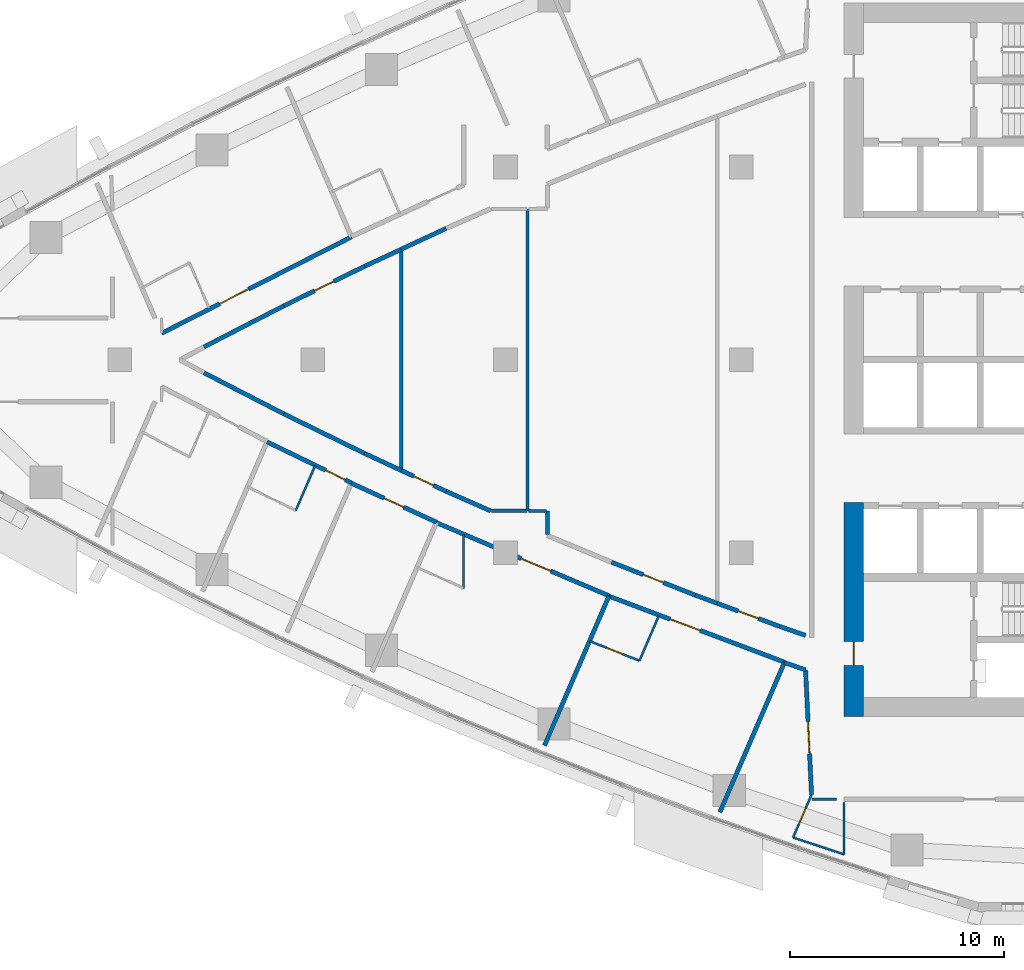
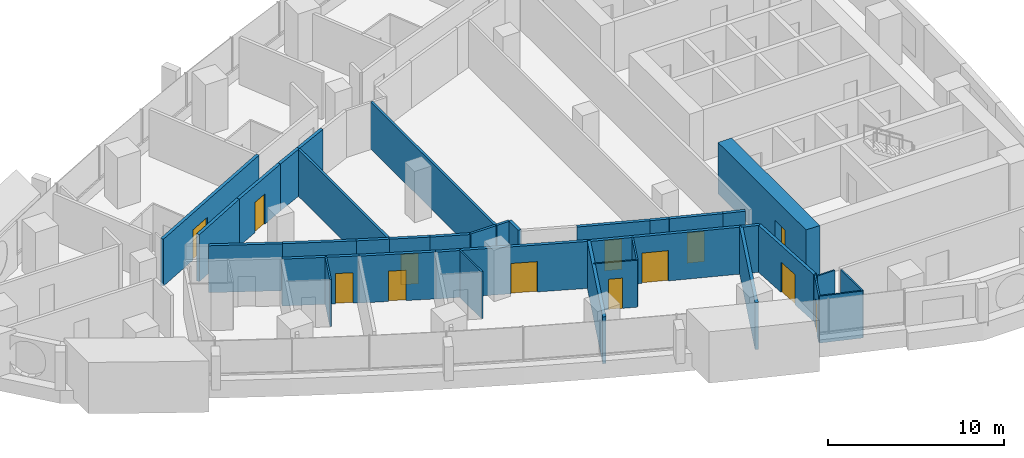
# One storey, part 9 of 17: 36 walls, 13 doors, 13 openings.
"""IFC4 building model written with IfcOpenShell, lengths in metres."""

from ifc_helpers import new_model, si_unit, direction, frame, frame_2d, origin, place, context, subcontext, project, spatial, rectangle, extrude, material, layer, layer_set, type_object, element, fill, save


model = new_model("IFC4")

# Units and contexts
model_context = context("Model", 3, precision=1e-05, world=origin(), true_north=direction((0.0, 1.0)))
body_context = subcontext(model_context, "Body", "Model", "MODEL_VIEW")
ifc_project = project(units=[si_unit("LENGTHUNIT", "METRE"), si_unit("AREAUNIT", "SQUARE_METRE"), si_unit("VOLUMEUNIT", "CUBIC_METRE"), si_unit("PLANEANGLEUNIT", "RADIAN"), si_unit("MASSUNIT", "GRAM", prefix="KILO")], contexts=[model_context])

# Site, building, storey
site_placement = place(None, origin())
site = spatial("IfcSite", under=ifc_project, at=site_placement, CompositionType="ELEMENT")
building_placement = place(site_placement, origin())
building = spatial("IfcBuilding", under=site, at=building_placement, Name="Ostrand Prow Hotel Tower", CompositionType="ELEMENT")
storey_placement = place(building_placement, frame((0.0, 0.0, 155.050048828125)))
storey = spatial("IfcBuildingStorey", under=building, at=storey_placement, Name="L38", CompositionType="ELEMENT", Elevation=155.050048828125)

# Wall, opening, door
ifc_material_1 = material(Name="Concrete C70/85", Category="concrete")
ifc_layer_1 = layer(ifc_material_1, 0.89990234375)
ifc_layer_set_1 = layer_set([ifc_layer_1], Name="Concrete C70/85")
wall_type_1 = type_object("IfcWallType", Name="Core wall 900 C70/85", PredefinedType="SHEAR", material=ifc_layer_set_1)
wall_1_placement = place(storey_placement, frame((50.25, -16.64990234375, 0.0), z_axis=(0.0, 0.0, 1.0), x_axis=(0.0, 1.0, 0.0)))
wall_1 = element("IfcWall", 1, at=wall_1_placement, inside=storey, type_object=wall_type_1, Name="Core wall CW-W-S", PredefinedType="SHEAR", context=body_context, shape_type="SweptSolid", body=[
    extrude(rectangle(XDim=10.0, YDim=0.89990234375, at=frame_2d((5.0, 0.0))), origin(), (0.0, 0.0, 1.0), 3.550048828125),
])
opening_1_placement = place(wall_1_placement, frame((2.39990234375, 0.0, 0.0)))
opening_1 = element("IfcOpeningElement", 2, at=opening_1_placement, cuts=wall_1, Name="Opening FD1", PredefinedType="OPENING", context=body_context, shape_type="SweptSolid", body=[
    extrude(rectangle(XDim=1.10009765625, YDim=2.10009765625, at=frame_2d((0.550048828125, 1.050048828125))), frame((0.0, 0.4599609375, 0.0), z_axis=(0.0, -1.0, 0.0), x_axis=(1.0, 0.0, 0.0)), (0.0, 0.0, 1.0), 0.919921875),
])
ifc_material_2 = material(Name="Steel fire door", Category="steel")
door_type_1 = type_object("IfcDoorType", Name="Fire door 1100 EI120", OperationType="SINGLE_SWING_RIGHT", PredefinedType="DOOR", material=ifc_material_2)
door_1_placement = place(opening_1_placement, origin())
door_1 = element("IfcDoor", 3, at=door_1_placement, inside=storey, type_object=door_type_1, Name="FIRE DOOR", OperationType="SINGLE_SWING_RIGHT", OverallHeight=2.10009765625, OverallWidth=1.10009765625, PredefinedType="DOOR", context=body_context, shape_type="SweptSolid", body=[
    extrude(rectangle(XDim=1.10009765625, YDim=2.10009765625, at=frame_2d((0.550048828125, 1.050048828125))), frame((0.0, 0.02490234375, 0.0), z_axis=(0.0, -1.0, 0.0), x_axis=(1.0, 0.0, 0.0)), (0.0, 0.0, 1.0), 0.050048828125),
])
fill(opening_1, door_1)

# Walls
ifc_material_3 = material(Name="Plasterboard partition")
ifc_layer_2 = layer(ifc_material_3, 0.10009765625)
ifc_layer_set_2 = layer_set([ifc_layer_2], Name="Plasterboard partition")
wall_type_2 = type_object("IfcWallType", Name="Partition 100 bathroom wall", PredefinedType="PARTITIONING", material=ifc_layer_set_2)
wall_2_placement = place(storey_placement, frame((25.116943359375, -4.931640625, 0.0), z_axis=(0.0, 0.0, 1.0), x_axis=(-0.396037997114, -0.918234123109, 0.0)))
element("IfcWall", 4, at=wall_2_placement, inside=storey, type_object=wall_type_2, Name="BATHROOM WALL", PredefinedType="PARTITIONING", context=body_context, shape_type="SweptSolid", body=[
    extrude(rectangle(XDim=2.279541015625, YDim=0.10009765625, at=frame_2d((1.1396484375, 0.0))), origin(), (0.0, 0.0, 1.0), 3.25),
])
wall_3_placement = place(storey_placement, frame((41.15087890625, -11.946044921875, 0.0), z_axis=(0.0, 0.0, 1.0), x_axis=(-0.39596178423, -0.918266990275, 0.0)))
element("IfcWall", 5, at=wall_3_placement, inside=storey, type_object=wall_type_2, Name="BATHROOM WALL", PredefinedType="PARTITIONING", context=body_context, shape_type="SweptSolid", body=[
    extrude(rectangle(XDim=2.2783203125, YDim=0.10009765625, at=frame_2d((1.13916015625, 0.0))), origin(), (0.0, 0.0, 1.0), 3.25),
])

# Wall, opening, door
wall_4_placement = place(storey_placement, frame((40.24853515625, -14.0380859375, 0.0), z_axis=(0.0, 0.0, 1.0), x_axis=(-0.930555592459, 0.366150637503, 0.0)))
wall_4 = element("IfcWall", 6, at=wall_4_placement, inside=storey, type_object=wall_type_2, Name="BATHROOM WALL", PredefinedType="PARTITIONING", context=body_context, shape_type="SweptSolid", body=[
    extrude(rectangle(XDim=2.5009765625, YDim=0.10009765625, at=frame_2d((1.25048828125, 0.0))), origin(), (0.0, 0.0, 1.0), 3.25),
])
opening_2_placement = place(wall_4_placement, frame((0.85009765625, 0.0, 0.0)))
opening_2 = element("IfcOpeningElement", 7, at=opening_2_placement, cuts=wall_4, Name="Opening D2", PredefinedType="OPENING", context=body_context, shape_type="SweptSolid", body=[
    extrude(rectangle(XDim=0.800048828125, YDim=2.10009765625, at=frame_2d((0.39990234375, 1.050048828125))), frame((0.0, 0.06005859375, 0.0), z_axis=(0.0, -1.0, 0.0), x_axis=(1.0, 0.0, 0.0)), (0.0, 0.0, 1.0), 0.1201171875),
])
ifc_material_4 = material(Name="Timber door leaf", Category="wood")
door_type_2 = type_object("IfcDoorType", Name="Bathroom door 800", OperationType="SINGLE_SWING_LEFT", PredefinedType="DOOR", material=ifc_material_4)
door_2_placement = place(opening_2_placement, origin())
door_2 = element("IfcDoor", 8, at=door_2_placement, inside=storey, type_object=door_type_2, Name="DOOR", OperationType="SINGLE_SWING_LEFT", OverallHeight=2.10009765625, OverallWidth=0.800048828125, PredefinedType="DOOR", context=body_context, shape_type="SweptSolid", body=[
    extrude(rectangle(XDim=0.800048828125, YDim=2.10009765625, at=frame_2d((0.39990234375, 1.050048828125))), frame((0.0, 0.02490234375, 0.0), z_axis=(0.0, -1.0, 0.0), x_axis=(1.0, 0.0, 0.0)), (0.0, 0.0, 1.0), 0.050048828125),
])
fill(opening_2, door_2)

wall_5_placement = place(storey_placement, frame((47.416015625, -22.2890625, 0.0), z_axis=(0.0, 0.0, 1.0), x_axis=(0.396028123143, 0.918238381729, 0.0)))
wall_5 = element("IfcWall", 9, at=wall_5_placement, inside=storey, type_object=wall_type_2, Name="BATHROOM WALL", PredefinedType="PARTITIONING", context=body_context, shape_type="SweptSolid", body=[
    extrude(rectangle(XDim=2.1787109375, YDim=0.10009765625, at=frame_2d((1.08935546875, 0.0))), origin(), (0.0, 0.0, 1.0), 3.25),
])
opening_3_placement = place(wall_5_placement, frame((0.699951171875, 0.0, 0.0)))
opening_3 = element("IfcOpeningElement", 10, at=opening_3_placement, cuts=wall_5, Name="Opening D2", PredefinedType="OPENING", context=body_context, shape_type="SweptSolid", body=[
    extrude(rectangle(XDim=0.800048828125, YDim=2.10009765625, at=frame_2d((0.39990234375, 1.050048828125))), frame((0.0, 0.06005859375, 0.0), z_axis=(0.0, -1.0, 0.0), x_axis=(1.0, 0.0, 0.0)), (0.0, 0.0, 1.0), 0.1201171875),
])
door_3_placement = place(opening_3_placement, origin())
door_3 = element("IfcDoor", 11, at=door_3_placement, inside=storey, type_object=door_type_2, Name="DOOR", OperationType="SINGLE_SWING_LEFT", OverallHeight=2.10009765625, OverallWidth=0.800048828125, PredefinedType="DOOR", context=body_context, shape_type="SweptSolid", body=[
    extrude(rectangle(XDim=0.800048828125, YDim=2.10009765625, at=frame_2d((0.39990234375, 1.050048828125))), frame((0.0, 0.02490234375, 0.0), z_axis=(0.0, -1.0, 0.0), x_axis=(1.0, 0.0, 0.0)), (0.0, 0.0, 1.0), 0.050048828125),
])
fill(opening_3, door_3)

# Walls
wall_6_placement = place(storey_placement, frame((32.044921875, -8.13818359375, 0.0), z_axis=(0.0, 0.0, 1.0), x_axis=(0.0, -1.0, 0.0)))
element("IfcWall", 12, at=wall_6_placement, inside=storey, type_object=wall_type_2, Name="BATHROOM WALL", PredefinedType="PARTITIONING", context=body_context, shape_type="SweptSolid", body=[
    extrude(rectangle(XDim=2.52587890625, YDim=0.10009765625, at=frame_2d((1.262939453125, 0.0))), origin(), (0.0, 0.0, 1.0), 3.25),
])
wall_7_placement = place(storey_placement, frame((48.298583984375, -20.5048828125, 0.0), z_axis=(0.0, 0.0, 1.0), x_axis=(1.0, 0.0, 0.0)))
element("IfcWall", 13, at=wall_7_placement, inside=storey, type_object=wall_type_2, Name="BATHROOM WALL", PredefinedType="PARTITIONING", context=body_context, shape_type="SweptSolid", body=[
    extrude(rectangle(XDim=1.13525390625, YDim=0.10009765625, at=frame_2d((0.567626953125, 0.0))), origin(), (0.0, 0.0, 1.0), 3.25),
])
wall_8_placement = place(storey_placement, frame((49.800048828125, -20.65576171875, 0.0), z_axis=(0.0, 0.0, 1.0), x_axis=(0.0, -1.0, 0.0)))
element("IfcWall", 14, at=wall_8_placement, inside=storey, type_object=wall_type_2, Name="BATHROOM WALL", PredefinedType="PARTITIONING", context=body_context, shape_type="SweptSolid", body=[
    extrude(rectangle(XDim=2.41845703125, YDim=0.10009765625, at=frame_2d((1.209228515625, 0.0))), origin(), (0.0, 0.0, 1.0), 3.25),
])
wall_9_placement = place(storey_placement, frame((49.800048828125, -23.07421875, 0.0), z_axis=(0.0, 0.0, 1.0), x_axis=(-0.949844078437, 0.312723882455, 0.0)))
element("IfcWall", 15, at=wall_9_placement, inside=storey, type_object=wall_type_2, Name="BATHROOM WALL", PredefinedType="PARTITIONING", context=body_context, shape_type="SweptSolid", body=[
    extrude(rectangle(XDim=2.510009765625, YDim=0.10009765625, at=frame_2d((1.2548828125, 0.0))), origin(), (0.0, 0.0, 1.0), 3.25),
])
ifc_material_5 = material(Name="Plasterboard partition")
ifc_layer_3 = layer(ifc_material_5, 0.14990234375)
ifc_layer_set_3 = layer_set([ifc_layer_3], Name="Plasterboard partition")
wall_type_3 = type_object("IfcWallType", Name="Partition 150 room partition", PredefinedType="PARTITIONING", material=ifc_layer_set_3)
wall_10_placement = place(storey_placement, frame((29.134033203125, -5.16015625, 0.0), z_axis=(0.0, 0.0, 1.0), x_axis=(0.0, 1.0, 0.0)))
element("IfcWall", 16, at=wall_10_placement, inside=storey, type_object=wall_type_3, Name="ROOM PARTITION", PredefinedType="PARTITIONING", context=body_context, shape_type="SweptSolid", body=[
    extrude(rectangle(XDim=10.3203125, YDim=0.14990234375, at=frame_2d((5.16015625, 0.0))), origin(), (0.0, 0.0, 1.0), 3.25),
])
wall_11_placement = place(storey_placement, frame((35.03125, -7.050048828125, 0.0), z_axis=(0.0, 0.0, 1.0), x_axis=(0.0, 1.0, 0.0)))
element("IfcWall", 17, at=wall_11_placement, inside=storey, type_object=wall_type_3, Name="ROOM PARTITION", PredefinedType="PARTITIONING", context=body_context, shape_type="SweptSolid", body=[
    extrude(rectangle(XDim=14.10009765625, YDim=0.14990234375, at=frame_2d((7.050048828125, 0.0))), origin(), (0.0, 0.0, 1.0), 3.25),
])
wall_12_placement = place(storey_placement, frame((34.9912109375, -7.044921875, 0.0), z_axis=(0.0, 0.0, 1.0), x_axis=(-1.0, 0.0, 0.0)))
element("IfcWall", 18, at=wall_12_placement, inside=storey, type_object=wall_type_3, Name="ROOM PARTITION", PredefinedType="PARTITIONING", context=body_context, shape_type="SweptSolid", body=[
    extrude(rectangle(XDim=1.643798828125, YDim=0.14990234375, at=frame_2d((0.82177734375, 0.0))), origin(), (0.0, 0.0, 1.0), 3.25),
])
wall_13_placement = place(storey_placement, frame((35.913818359375, -7.046630859375, 0.0), z_axis=(0.0, 0.0, 1.0), x_axis=(-0.999998488592, 0.001738623857, 0.0)))
element("IfcWall", 19, at=wall_13_placement, inside=storey, type_object=wall_type_3, Name="ROOM PARTITION", PredefinedType="PARTITIONING", context=body_context, shape_type="SweptSolid", body=[
    extrude(rectangle(XDim=0.842529296875, YDim=0.14990234375, at=frame_2d((0.42138671875, 0.0))), origin(), (0.0, 0.0, 1.0), 3.25),
])

# Wall, opening, door
ifc_material_6 = material(Name="Plasterboard partition")
ifc_layer_4 = layer(ifc_material_6, 0.199951171875)
ifc_layer_set_4 = layer_set([ifc_layer_4], Name="Plasterboard partition")
wall_type_4 = type_object("IfcWallType", Name="Partition 200 corridor wall", PredefinedType="PARTITIONING", material=ifc_layer_set_4)
wall_14_placement = place(storey_placement, frame((17.949951171875, 1.238037109375, 0.0), z_axis=(0.0, 0.0, 1.0), x_axis=(0.891757990421, 0.452512636863, 0.0)))
wall_14 = element("IfcWall", 20, at=wall_14_placement, inside=storey, type_object=wall_type_4, Name="CORRIDOR WALL", PredefinedType="PARTITIONING", context=body_context, shape_type="SweptSolid", body=[
    extrude(rectangle(XDim=9.93701171875, YDim=0.199951171875, at=frame_2d((4.968505859375, 0.0))), origin(), (0.0, 0.0, 1.0), 3.25),
])
opening_4_placement = place(wall_14_placement, frame((3.050048828125, 0.0, 0.0)))
opening_4 = element("IfcOpeningElement", 21, at=opening_4_placement, cuts=wall_14, Name="Opening D15", PredefinedType="OPENING", context=body_context, shape_type="SweptSolid", body=[
    extrude(rectangle(XDim=1.5, YDim=2.10009765625, at=frame_2d((0.75, 1.050048828125))), frame((0.0, 0.10986328125, 0.0), z_axis=(0.0, -1.0, 0.0), x_axis=(1.0, 0.0, 0.0)), (0.0, 0.0, 1.0), 0.219970703125),
])
ifc_material_7 = material(Name="Timber door leaf", Category="wood")
door_type_3 = type_object("IfcDoorType", Name="Double door 1500", OperationType="DOUBLE_DOOR_SINGLE_SWING", PredefinedType="DOOR", material=ifc_material_7)
door_4_placement = place(opening_4_placement, origin())
door_4 = element("IfcDoor", 22, at=door_4_placement, inside=storey, type_object=door_type_3, Name="DOOR", OperationType="DOUBLE_DOOR_SINGLE_SWING", OverallHeight=2.10009765625, OverallWidth=1.5, PredefinedType="DOOR", context=body_context, shape_type="SweptSolid", body=[
    extrude(rectangle(XDim=1.5, YDim=2.10009765625, at=frame_2d((0.75, 1.050048828125))), frame((0.0, 0.02490234375, 0.0), z_axis=(0.0, -1.0, 0.0), x_axis=(1.0, 0.0, 0.0)), (0.0, 0.0, 1.0), 0.050048828125),
])
fill(opening_4, door_4)

wall_15_placement = place(storey_placement, frame((22.87109375, -3.826171875, 0.0), z_axis=(0.0, 0.0, 1.0), x_axis=(0.899988502444, -0.435913633038, 0.0)))
wall_15 = element("IfcWall", 23, at=wall_15_placement, inside=storey, type_object=wall_type_4, Name="CORRIDOR WALL", PredefinedType="PARTITIONING", context=body_context, shape_type="SweptSolid", body=[
    extrude(rectangle(XDim=4.3779296875, YDim=0.199951171875, at=frame_2d((2.18896484375, 0.0))), origin(), (0.0, 0.0, 1.0), 3.25),
])
opening_5_placement = place(wall_15_placement, frame((3.050048828125, 0.0, 0.0)))
opening_5 = element("IfcOpeningElement", 24, at=opening_5_placement, cuts=wall_15, Name="Opening D1R", PredefinedType="OPENING", context=body_context, shape_type="SweptSolid", body=[
    extrude(rectangle(XDim=1.0, YDim=2.10009765625, at=frame_2d((0.5, 1.050048828125))), frame((0.0, 0.10986328125, 0.0), z_axis=(0.0, -1.0, 0.0), x_axis=(1.0, 0.0, 0.0)), (0.0, 0.0, 1.0), 0.219970703125),
])
ifc_material_8 = material(Name="Timber door leaf", Category="wood")
door_type_4 = type_object("IfcDoorType", Name="Guest room door 1000 right", OperationType="SINGLE_SWING_RIGHT", PredefinedType="DOOR", material=ifc_material_8)
door_5_placement = place(opening_5_placement, origin())
door_5 = element("IfcDoor", 25, at=door_5_placement, inside=storey, type_object=door_type_4, Name="DOOR", OperationType="SINGLE_SWING_RIGHT", OverallHeight=2.10009765625, OverallWidth=1.0, PredefinedType="DOOR", context=body_context, shape_type="SweptSolid", body=[
    extrude(rectangle(XDim=1.0, YDim=2.10009765625, at=frame_2d((0.5, 1.050048828125))), frame((0.0, 0.02490234375, 0.0), z_axis=(0.0, -1.0, 0.0), x_axis=(1.0, 0.0, 0.0)), (0.0, 0.0, 1.0), 0.050048828125),
])
fill(opening_5, door_5)

wall_16_placement = place(storey_placement, frame((26.80322265625, -5.7529296875, 0.0), z_axis=(0.0, 0.0, 1.0), x_axis=(0.90910092787, -0.416575926987, 0.0)))
wall_16 = element("IfcWall", 26, at=wall_16_placement, inside=storey, type_object=wall_type_4, Name="CORRIDOR WALL", PredefinedType="PARTITIONING", context=body_context, shape_type="SweptSolid", body=[
    extrude(rectangle(XDim=4.375, YDim=0.199951171875, at=frame_2d((2.1875, 0.0))), origin(), (0.0, 0.0, 1.0), 3.25),
])
opening_6_placement = place(wall_16_placement, frame((1.6875, 0.0, 0.0)))
opening_6 = element("IfcOpeningElement", 27, at=opening_6_placement, cuts=wall_16, Name="Opening D1", PredefinedType="OPENING", context=body_context, shape_type="SweptSolid", body=[
    extrude(rectangle(XDim=1.0, YDim=2.10009765625, at=frame_2d((0.5, 1.050048828125))), frame((0.0, 0.10986328125, 0.0), z_axis=(0.0, -1.0, 0.0), x_axis=(1.0, 0.0, 0.0)), (0.0, 0.0, 1.0), 0.219970703125),
])
ifc_material_9 = material(Name="Timber door leaf", Category="wood")
door_type_5 = type_object("IfcDoorType", Name="Guest room door 1000", OperationType="SINGLE_SWING_LEFT", PredefinedType="DOOR", material=ifc_material_9)
door_6_placement = place(opening_6_placement, origin())
door_6 = element("IfcDoor", 28, at=door_6_placement, inside=storey, type_object=door_type_5, Name="DOOR", OperationType="SINGLE_SWING_LEFT", OverallHeight=2.10009765625, OverallWidth=1.0, PredefinedType="DOOR", context=body_context, shape_type="SweptSolid", body=[
    extrude(rectangle(XDim=1.0, YDim=2.10009765625, at=frame_2d((0.5, 1.050048828125))), frame((0.0, 0.02490234375, 0.0), z_axis=(0.0, -1.0, 0.0), x_axis=(1.0, 0.0, 0.0)), (0.0, 0.0, 1.0), 0.050048828125),
])
fill(opening_6, door_6)

wall_17_placement = place(storey_placement, frame((30.7724609375, -7.593994140625, 0.0), z_axis=(0.0, 0.0, 1.0), x_axis=(0.920747305421, -0.390159454019, 0.0)))
wall_17 = element("IfcWall", 29, at=wall_17_placement, inside=storey, type_object=wall_type_4, Name="CORRIDOR WALL", PredefinedType="PARTITIONING", context=body_context, shape_type="SweptSolid", body=[
    extrude(rectangle(XDim=8.753662109375, YDim=0.199951171875, at=frame_2d((4.376953125, 0.0))), origin(), (0.0, 0.0, 1.0), 3.25),
])
opening_7_placement = place(wall_17_placement, frame((4.300048828125, 0.0, 0.0)))
opening_7 = element("IfcOpeningElement", 30, at=opening_7_placement, cuts=wall_17, Name="Opening D15", PredefinedType="OPENING", context=body_context, shape_type="SweptSolid", body=[
    extrude(rectangle(XDim=1.5, YDim=2.10009765625, at=frame_2d((0.75, 1.050048828125))), frame((0.0, 0.10986328125, 0.0), z_axis=(0.0, -1.0, 0.0), x_axis=(1.0, 0.0, 0.0)), (0.0, 0.0, 1.0), 0.219970703125),
])
door_7_placement = place(opening_7_placement, origin())
door_7 = element("IfcDoor", 31, at=door_7_placement, inside=storey, type_object=door_type_3, Name="DOOR", OperationType="DOUBLE_DOOR_SINGLE_SWING", OverallHeight=2.10009765625, OverallWidth=1.5, PredefinedType="DOOR", context=body_context, shape_type="SweptSolid", body=[
    extrude(rectangle(XDim=1.5, YDim=2.10009765625, at=frame_2d((0.75, 1.050048828125))), frame((0.0, 0.02490234375, 0.0), z_axis=(0.0, -1.0, 0.0), x_axis=(1.0, 0.0, 0.0)), (0.0, 0.0, 1.0), 0.050048828125),
])
fill(opening_7, door_7)

wall_18_placement = place(storey_placement, frame((38.824462890625, -11.027587890625, 0.0), z_axis=(0.0, 0.0, 1.0), x_axis=(0.936174374451, -0.351535973439, 0.0)))
wall_18 = element("IfcWall", 32, at=wall_18_placement, inside=storey, type_object=wall_type_4, Name="CORRIDOR WALL", PredefinedType="PARTITIONING", context=body_context, shape_type="SweptSolid", body=[
    extrude(rectangle(XDim=8.7548828125, YDim=0.199951171875, at=frame_2d((4.37744140625, 0.0))), origin(), (0.0, 0.0, 1.0), 3.25),
])
opening_8_placement = place(wall_18_placement, frame((3.050048828125, 0.0, 0.0)))
opening_8 = element("IfcOpeningElement", 33, at=opening_8_placement, cuts=wall_18, Name="Opening D15", PredefinedType="OPENING", context=body_context, shape_type="SweptSolid", body=[
    extrude(rectangle(XDim=1.5, YDim=2.10009765625, at=frame_2d((0.75, 1.050048828125))), frame((0.0, 0.10986328125, 0.0), z_axis=(0.0, -1.0, 0.0), x_axis=(1.0, 0.0, 0.0)), (0.0, 0.0, 1.0), 0.219970703125),
])
door_8_placement = place(opening_8_placement, origin())
door_8 = element("IfcDoor", 34, at=door_8_placement, inside=storey, type_object=door_type_3, Name="DOOR", OperationType="DOUBLE_DOOR_SINGLE_SWING", OverallHeight=2.10009765625, OverallWidth=1.5, PredefinedType="DOOR", context=body_context, shape_type="SweptSolid", body=[
    extrude(rectangle(XDim=1.5, YDim=2.10009765625, at=frame_2d((0.75, 1.050048828125))), frame((0.0, 0.02490234375, 0.0), z_axis=(0.0, -1.0, 0.0), x_axis=(1.0, 0.0, 0.0)), (0.0, 0.0, 1.0), 0.050048828125),
])
fill(opening_8, door_8)

wall_19_placement = place(storey_placement, frame((23.65869140625, 2.52197265625, 0.0), z_axis=(0.0, 0.0, 1.0), x_axis=(0.898143384422, 0.43970269617, 0.0)))
wall_19 = element("IfcWall", 35, at=wall_19_placement, inside=storey, type_object=wall_type_4, Name="CORRIDOR WALL", PredefinedType="PARTITIONING", context=body_context, shape_type="SweptSolid", body=[
    extrude(rectangle(XDim=4.1953125, YDim=0.199951171875, at=frame_2d((2.09765625, 0.0))), origin(), (0.0, 0.0, 1.0), 3.25),
])
opening_9_placement = place(wall_19_placement, frame((1.59765625, 0.0, 0.0)))
opening_9 = element("IfcOpeningElement", 36, at=opening_9_placement, cuts=wall_19, Name="Opening D1", PredefinedType="OPENING", context=body_context, shape_type="SweptSolid", body=[
    extrude(rectangle(XDim=1.0, YDim=2.10009765625, at=frame_2d((0.5, 1.050048828125))), frame((0.0, 0.10986328125, 0.0), z_axis=(0.0, -1.0, 0.0), x_axis=(1.0, 0.0, 0.0)), (0.0, 0.0, 1.0), 0.219970703125),
])
door_9_placement = place(opening_9_placement, origin())
door_9 = element("IfcDoor", 37, at=door_9_placement, inside=storey, type_object=door_type_5, Name="DOOR", OperationType="SINGLE_SWING_LEFT", OverallHeight=2.10009765625, OverallWidth=1.0, PredefinedType="DOOR", context=body_context, shape_type="SweptSolid", body=[
    extrude(rectangle(XDim=1.0, YDim=2.10009765625, at=frame_2d((0.5, 1.050048828125))), frame((0.0, 0.02490234375, 0.0), z_axis=(0.0, -1.0, 0.0), x_axis=(1.0, 0.0, 0.0)), (0.0, 0.0, 1.0), 0.050048828125),
])
fill(opening_9, door_9)

# Walls
wall_20_placement = place(storey_placement, frame((29.134033203125, -5.16015625, 0.0), z_axis=(0.0, 0.0, 1.0), x_axis=(-0.906847924868, 0.421457994541, 0.0)))
element("IfcWall", 38, at=wall_20_placement, inside=storey, type_object=wall_type_4, Name="CORRIDOR WALL", PredefinedType="PARTITIONING", context=body_context, shape_type="SweptSolid", body=[
    extrude(rectangle(XDim=1.882568359375, YDim=0.199951171875, at=frame_2d((0.94140625, 0.0))), origin(), (0.0, 0.0, 1.0), 3.25),
])
for number, where, z_axis, x_axis, name in (
    (39, (27.4267578125, -4.36669921875, 0.0), (0.0, 0.0, 1.0), (-0.898143384422, 0.43970269617, 0.0), "CORRIDOR WALL"),
    (40, (23.65869140625, -2.52197265625, 0.0), (0.0, 0.0, 1.0), (-0.889140337289, 0.457634636589, 0.0), "CORRIDOR WALL"),
    (41, (19.928466796875, 0.60205078125, 0.0), (0.0, 0.0, 1.0), (0.889140337289, 0.457634636589, 0.0), "CORRIDOR WALL"),
):
    element("IfcWall", number, at=place(storey_placement, frame(where, z_axis=z_axis, x_axis=x_axis)), inside=storey, type_object=wall_type_4, Name=name, PredefinedType="PARTITIONING", context=body_context, shape_type="SweptSolid", body=[
        extrude(rectangle(XDim=4.1953125, YDim=0.199951171875, at=frame_2d((2.09765625, 0.0))), origin(), (0.0, 0.0, 1.0), 3.25),
    ])
wall_21_placement = place(storey_placement, frame((27.4267578125, 4.36669921875, 0.0), z_axis=(0.0, 0.0, 1.0), x_axis=(0.906847924868, 0.421457994541, 0.0)))
element("IfcWall", 42, at=wall_21_placement, inside=storey, type_object=wall_type_4, Name="CORRIDOR WALL", PredefinedType="PARTITIONING", context=body_context, shape_type="SweptSolid", body=[
    extrude(rectangle(XDim=1.882568359375, YDim=0.199951171875, at=frame_2d((0.94140625, 0.0))), origin(), (0.0, 0.0, 1.0), 3.25),
])

# Wall, opening, door
wall_22_placement = place(storey_placement, frame((31.231201171875, -6.135009765625, 0.0), z_axis=(0.0, 0.0, 1.0), x_axis=(-0.906815906336, 0.421526881723, 0.0)))
wall_22 = element("IfcWall", 43, at=wall_22_placement, inside=storey, type_object=wall_type_4, Name="CORRIDOR WALL", PredefinedType="PARTITIONING", context=body_context, shape_type="SweptSolid", body=[
    extrude(rectangle(XDim=2.312744140625, YDim=0.199951171875, at=frame_2d((1.15625, 0.0))), origin(), (0.0, 0.0, 1.0), 3.25),
])
opening_10_placement = place(wall_22_placement, frame((0.65625, 0.0, 0.0)))
opening_10 = element("IfcOpeningElement", 44, at=opening_10_placement, cuts=wall_22, Name="Opening D1R", PredefinedType="OPENING", context=body_context, shape_type="SweptSolid", body=[
    extrude(rectangle(XDim=1.0, YDim=2.10009765625, at=frame_2d((0.5, 1.050048828125))), frame((0.0, 0.10986328125, 0.0), z_axis=(0.0, -1.0, 0.0), x_axis=(1.0, 0.0, 0.0)), (0.0, 0.0, 1.0), 0.219970703125),
])
door_10_placement = place(opening_10_placement, origin())
door_10 = element("IfcDoor", 45, at=door_10_placement, inside=storey, type_object=door_type_4, Name="DOOR", OperationType="SINGLE_SWING_RIGHT", OverallHeight=2.10009765625, OverallWidth=1.0, PredefinedType="DOOR", context=body_context, shape_type="SweptSolid", body=[
    extrude(rectangle(XDim=1.0, YDim=2.10009765625, at=frame_2d((0.5, 1.050048828125))), frame((0.0, 0.02490234375, 0.0), z_axis=(0.0, -1.0, 0.0), x_axis=(1.0, 0.0, 0.0)), (0.0, 0.0, 1.0), 0.050048828125),
])
fill(opening_10, door_10)

# Walls
wall_23_placement = place(storey_placement, frame((33.307861328125, -7.050048828125, 0.0), z_axis=(0.0, 0.0, 1.0), x_axis=(-0.915102334452, 0.403221672881, 0.0)))
element("IfcWall", 46, at=wall_23_placement, inside=storey, type_object=wall_type_4, Name="CORRIDOR WALL", PredefinedType="PARTITIONING", context=body_context, shape_type="SweptSolid", body=[
    extrude(rectangle(XDim=2.269287109375, YDim=0.199951171875, at=frame_2d((1.134765625, 0.0))), origin(), (0.0, 0.0, 1.0), 3.25),
])
wall_24_placement = place(storey_placement, frame((29.134033203125, 5.16015625, 0.0), z_axis=(0.0, 0.0, 1.0), x_axis=(0.906815906336, 0.421526881723, 0.0)))
element("IfcWall", 47, at=wall_24_placement, inside=storey, type_object=wall_type_4, Name="CORRIDOR WALL", PredefinedType="PARTITIONING", context=body_context, shape_type="SweptSolid", body=[
    extrude(rectangle(XDim=2.312744140625, YDim=0.199951171875, at=frame_2d((1.15625, 0.0))), origin(), (0.0, 0.0, 1.0), 3.25),
])

# Wall, opening, door
wall_25_placement = place(storey_placement, frame((42.84716796875, -10.976806640625, 0.0), z_axis=(0.0, 0.0, 1.0), x_axis=(-0.930576677263, 0.36609704688, 0.0)))
wall_25 = element("IfcWall", 48, at=wall_25_placement, inside=storey, type_object=wall_type_4, Name="CORRIDOR WALL", PredefinedType="PARTITIONING", context=body_context, shape_type="SweptSolid", body=[
    extrude(rectangle(XDim=4.1953125, YDim=0.199951171875, at=frame_2d((2.09765625, 0.0))), origin(), (0.0, 0.0, 1.0), 3.25),
])
opening_11_placement = place(wall_25_placement, frame((1.59765625, 0.0, 0.0)))
opening_11 = element("IfcOpeningElement", 49, at=opening_11_placement, cuts=wall_25, Name="Opening D1", PredefinedType="OPENING", context=body_context, shape_type="SweptSolid", body=[
    extrude(rectangle(XDim=1.0, YDim=2.10009765625, at=frame_2d((0.5, 1.050048828125))), frame((0.0, 0.10986328125, 0.0), z_axis=(0.0, -1.0, 0.0), x_axis=(1.0, 0.0, 0.0)), (0.0, 0.0, 1.0), 0.219970703125),
])
door_11_placement = place(opening_11_placement, origin())
door_11 = element("IfcDoor", 50, at=door_11_placement, inside=storey, type_object=door_type_5, Name="DOOR", OperationType="SINGLE_SWING_LEFT", OverallHeight=2.10009765625, OverallWidth=1.0, PredefinedType="DOOR", context=body_context, shape_type="SweptSolid", body=[
    extrude(rectangle(XDim=1.0, YDim=2.10009765625, at=frame_2d((0.5, 1.050048828125))), frame((0.0, 0.02490234375, 0.0), z_axis=(0.0, -1.0, 0.0), x_axis=(1.0, 0.0, 0.0)), (0.0, 0.0, 1.0), 0.050048828125),
])
fill(opening_11, door_11)

# Wall
wall_26_placement = place(storey_placement, frame((43.877197265625, -11.3583984375, 0.0), z_axis=(0.0, 0.0, 1.0), x_axis=(-0.93771926553, 0.347393982466, 0.0)))
element("IfcWall", 51, at=wall_26_placement, inside=storey, type_object=wall_type_4, Name="CORRIDOR WALL", PredefinedType="PARTITIONING", context=body_context, shape_type="SweptSolid", body=[
    extrude(rectangle(XDim=1.098388671875, YDim=0.199951171875, at=frame_2d((0.54931640625, 0.0))), origin(), (0.0, 0.0, 1.0), 3.25),
])

# Wall, opening, door
wall_27_placement = place(storey_placement, frame((46.78125, -12.43408203125, 0.0), z_axis=(0.0, 0.0, 1.0), x_axis=(-0.937737348698, 0.347345166739, 0.0)))
wall_27 = element("IfcWall", 52, at=wall_27_placement, inside=storey, type_object=wall_type_4, Name="CORRIDOR WALL", PredefinedType="PARTITIONING", context=body_context, shape_type="SweptSolid", body=[
    extrude(rectangle(XDim=3.096923828125, YDim=0.199951171875, at=frame_2d((1.54833984375, 0.0))), origin(), (0.0, 0.0, 1.0), 3.25),
])
opening_12_placement = place(wall_27_placement, frame((1.048583984375, 0.0, 0.0)))
opening_12 = element("IfcOpeningElement", 53, at=opening_12_placement, cuts=wall_27, Name="Opening D1R", PredefinedType="OPENING", context=body_context, shape_type="SweptSolid", body=[
    extrude(rectangle(XDim=1.0, YDim=2.10009765625, at=frame_2d((0.5, 1.050048828125))), frame((0.0, 0.10986328125, 0.0), z_axis=(0.0, -1.0, 0.0), x_axis=(1.0, 0.0, 0.0)), (0.0, 0.0, 1.0), 0.219970703125),
])
door_12_placement = place(opening_12_placement, origin())
door_12 = element("IfcDoor", 54, at=door_12_placement, inside=storey, type_object=door_type_4, Name="DOOR", OperationType="SINGLE_SWING_RIGHT", OverallHeight=2.10009765625, OverallWidth=1.0, PredefinedType="DOOR", context=body_context, shape_type="SweptSolid", body=[
    extrude(rectangle(XDim=1.0, YDim=2.10009765625, at=frame_2d((0.5, 1.050048828125))), frame((0.0, 0.02490234375, 0.0), z_axis=(0.0, -1.0, 0.0), x_axis=(1.0, 0.0, 0.0)), (0.0, 0.0, 1.0), 0.050048828125),
])
fill(opening_12, door_12)

# Walls
wall_28_placement = place(storey_placement, frame((47.012451171875, -14.123779296875, 0.0), z_axis=(0.0, 0.0, 1.0), x_axis=(0.944566081842, -0.32832136244, 0.0)))
element("IfcWall", 55, at=wall_28_placement, inside=storey, type_object=wall_type_4, Name="CORRIDOR WALL", PredefinedType="PARTITIONING", context=body_context, shape_type="SweptSolid", body=[
    extrude(rectangle(XDim=1.04541015625, YDim=0.199951171875, at=frame_2d((0.522705078125, 0.0))), origin(), (0.0, 0.0, 1.0), 3.25),
])
wall_29_placement = place(storey_placement, frame((48.0, -12.85791015625, 0.0), z_axis=(0.0, 0.0, 1.0), x_axis=(-0.944517215109, 0.328461916152, 0.0)))
element("IfcWall", 56, at=wall_29_placement, inside=storey, type_object=wall_type_4, Name="CORRIDOR WALL", PredefinedType="PARTITIONING", context=body_context, shape_type="SweptSolid", body=[
    extrude(rectangle(XDim=1.290283203125, YDim=0.199951171875, at=frame_2d((0.64501953125, 0.0))), origin(), (0.0, 0.0, 1.0), 3.25),
])

# Wall, opening, door
wall_30_placement = place(storey_placement, frame((48.0, -14.467041015625, 0.0), z_axis=(0.0, 0.0, 1.0), x_axis=(0.047837808481, -0.998855116661, 0.0)))
wall_30 = element("IfcWall", 57, at=wall_30_placement, inside=storey, type_object=wall_type_4, Name="CORRIDOR WALL", PredefinedType="PARTITIONING", context=body_context, shape_type="SweptSolid", body=[
    extrude(rectangle(XDim=5.828125, YDim=0.199951171875, at=frame_2d((2.9140625, 0.0))), origin(), (0.0, 0.0, 1.0), 3.25),
])
opening_13_placement = place(wall_30_placement, frame((2.4140625, 0.0, 0.0)))
opening_13 = element("IfcOpeningElement", 58, at=opening_13_placement, cuts=wall_30, Name="Opening D15", PredefinedType="OPENING", context=body_context, shape_type="SweptSolid", body=[
    extrude(rectangle(XDim=1.5, YDim=2.10009765625, at=frame_2d((0.75, 1.050048828125))), frame((0.0, 0.10986328125, 0.0), z_axis=(0.0, -1.0, 0.0), x_axis=(1.0, 0.0, 0.0)), (0.0, 0.0, 1.0), 0.219970703125),
])
door_13_placement = place(opening_13_placement, origin())
door_13 = element("IfcDoor", 59, at=door_13_placement, inside=storey, type_object=door_type_3, Name="DOOR", OperationType="DOUBLE_DOOR_SINGLE_SWING", OverallHeight=2.10009765625, OverallWidth=1.5, PredefinedType="DOOR", context=body_context, shape_type="SweptSolid", body=[
    extrude(rectangle(XDim=1.5, YDim=2.10009765625, at=frame_2d((0.75, 1.050048828125))), frame((0.0, 0.02490234375, 0.0), z_axis=(0.0, -1.0, 0.0), x_axis=(1.0, 0.0, 0.0)), (0.0, 0.0, 1.0), 0.050048828125),
])
fill(opening_13, door_13)

# Walls
wall_31_placement = place(storey_placement, frame((35.955078125, -8.153564453125, 0.0), z_axis=(0.0, 0.0, 1.0), x_axis=(-0.00110302161, 0.999999391671, 0.0)))
element("IfcWall", 60, at=wall_31_placement, inside=storey, type_object=wall_type_4, Name="CORRIDOR WALL", PredefinedType="PARTITIONING", context=body_context, shape_type="SweptSolid", body=[
    extrude(rectangle(XDim=1.106689453125, YDim=0.199951171875, at=frame_2d((0.55322265625, 0.0))), origin(), (0.0, 0.0, 1.0), 3.25),
])
ifc_material_10 = material(Name="Plasterboard partition")
ifc_layer_5 = layer(ifc_material_10, 0.199951171875)
ifc_layer_set_5 = layer_set([ifc_layer_5], Name="Plasterboard partition")
wall_type_5 = type_object("IfcWallType", Name="Partition 200 key partition", PredefinedType="PARTITIONING", material=ifc_layer_set_5)
wall_32_placement = place(storey_placement, frame((35.8212890625, -17.991455078125, 0.0), z_axis=(0.0, 0.0, 1.0), x_axis=(0.395987603644, 0.918255856371, 0.0)))
element("IfcWall", 61, at=wall_32_placement, inside=storey, type_object=wall_type_5, Name="KEY PARTITION", PredefinedType="PARTITIONING", context=body_context, shape_type="SweptSolid", body=[
    extrude(rectangle(XDim=7.603759765625, YDim=0.199951171875, at=frame_2d((3.8017578125, 0.0))), origin(), (0.0, 0.0, 1.0), 3.25),
])
wall_33_placement = place(storey_placement, frame((44.0029296875, -21.102294921875, 0.0), z_axis=(0.0, 0.0, 1.0), x_axis=(0.39600636385, 0.918247766014, 0.0)))
element("IfcWall", 62, at=wall_33_placement, inside=storey, type_object=wall_type_5, Name="KEY PARTITION", PredefinedType="PARTITIONING", context=body_context, shape_type="SweptSolid", body=[
    extrude(rectangle(XDim=7.6201171875, YDim=0.199951171875, at=frame_2d((3.81005859375, 0.0))), origin(), (0.0, 0.0, 1.0), 3.25),
])

save(model, "model.ifc")
